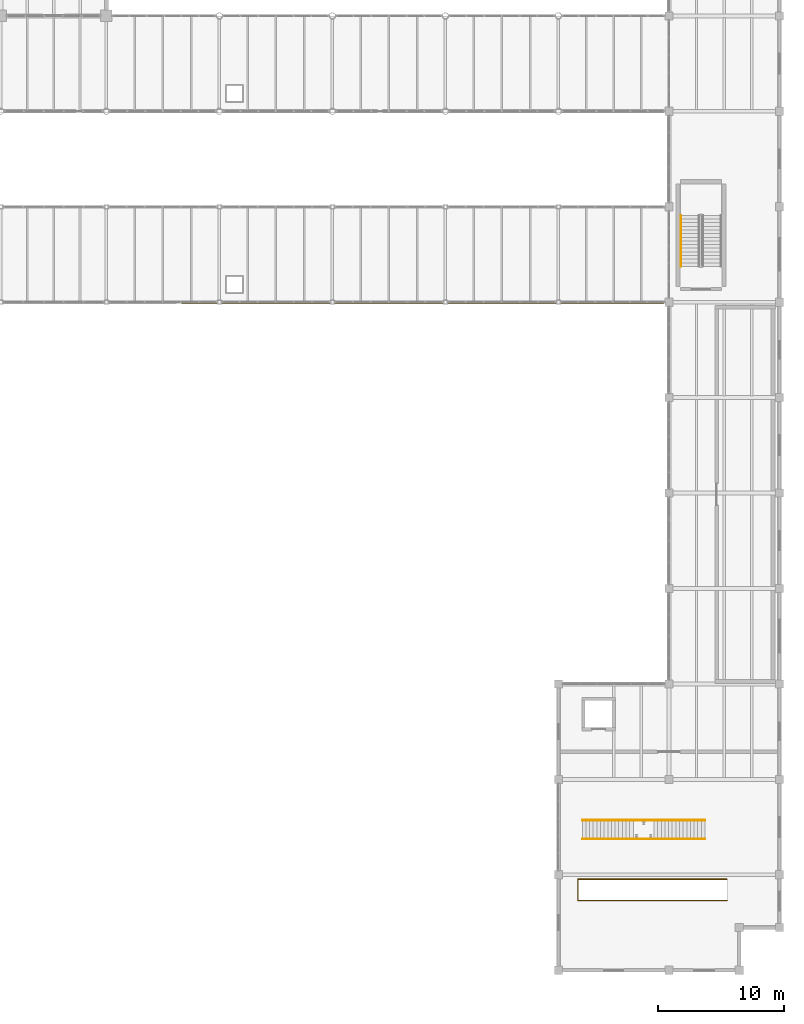
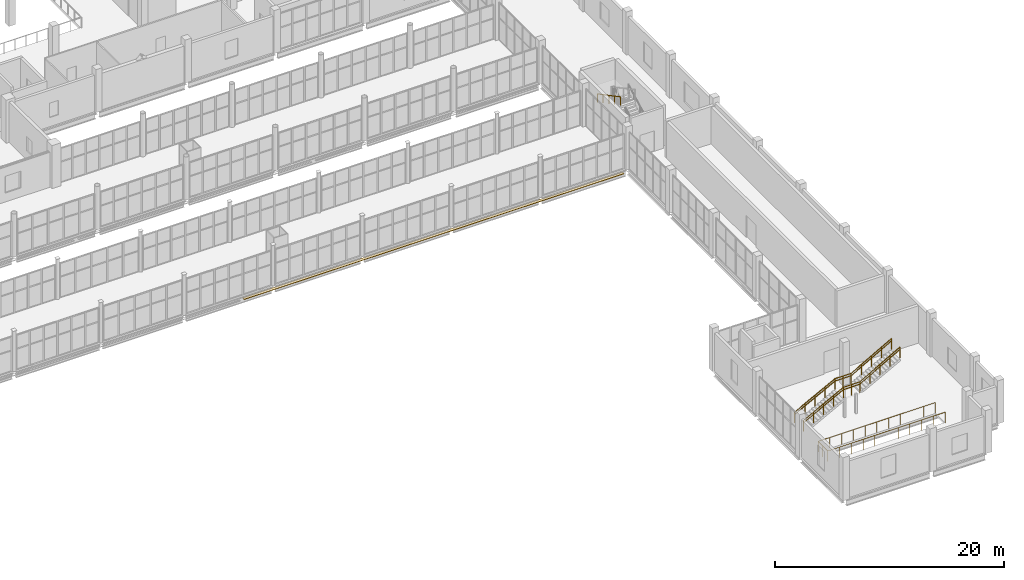
# One storey, part 170 of 172: 6 railings, 1 covering.
"""IFC4 building model written with IfcOpenShell, lengths in metres."""

from ifc_helpers import new_model, si_unit, direction, frame, origin, origin_2d, place, context, subcontext, project, spatial, rectangle, circle, extrude, material, layer, layer_set, type_object, element, save


model = new_model("IFC4")

# Units and contexts
model_context = context("Model", 3, precision=1e-05, world=origin(), true_north=direction((0.0, 1.0)))
body_context = subcontext(model_context, "Body", "Model", "MODEL_VIEW")
ifc_project = project(units=[si_unit("LENGTHUNIT", "METRE"), si_unit("AREAUNIT", "SQUARE_METRE"), si_unit("VOLUMEUNIT", "CUBIC_METRE"), si_unit("PLANEANGLEUNIT", "RADIAN"), si_unit("MASSUNIT", "GRAM", prefix="KILO")], contexts=[model_context])

# Site, building, storey
site_placement = place(None, origin())
site = spatial("IfcSite", under=ifc_project, at=site_placement, CompositionType="ELEMENT")
building_placement = place(site_placement, origin())
building = spatial("IfcBuilding", under=site, at=building_placement, Name="Shengluoqiao Park Theatre", CompositionType="ELEMENT")
storey_placement = place(building_placement, frame((0.0, 0.0, 5.39990234375)))
storey = spatial("IfcBuildingStorey", under=building, at=storey_placement, Name="L01", CompositionType="ELEMENT", Elevation=5.39990234375)

# Covering
ifc_material_1 = material(Name="Anodised aluminium", Category="aluminium")
ifc_layer = layer(ifc_material_1, 0.044921875, Name="Anodised aluminium")
ifc_layer_set = layer_set([ifc_layer], Name="Anodised aluminium")
covering_type = type_object("IfcCoveringType", Name="ENV-COV-CLAD1", PredefinedType="CLADDING", material=ifc_layer_set)
covering_placement = place(storey_placement, frame((137.60009765625, 53.199951171875, -0.472412109375), z_axis=(0.0, 0.0, 1.0), x_axis=(1.0, 0.0, 0.0)))
element("IfcCovering", 1, at=covering_placement, inside=storey, type_object=covering_type, Name="Park-Court Bridge Soffit Cladding 06", PredefinedType="CLADDING", context=body_context, shape_type="SweptSolid", body=[
    extrude(rectangle(XDim=38.39990234375, YDim=0.300048828125, at=origin_2d()), origin(), (0.0, 0.0, 1.0), 0.044921875),
])

# Railings
ifc_material_2 = material(Name="Tempered laminated glass", Category="glass")
railing_type_1 = type_object("IfcRailingType", Name="INT-RL-BAL115", PredefinedType="BALUSTRADE", material=ifc_material_2)
railing_1_placement = place(storey_placement, frame((161.81005859375, 5.550048828125, 0.0)))
element("IfcRailing", 2, at=railing_1_placement, inside=storey, type_object=railing_type_1, Name="East Artist Wing Stair 09 Upper Well Guard", PredefinedType="BALUSTRADE", context=body_context, shape_type="SweptSolid", body=[
    extrude(circle(Radius=0.02392578125, at=origin_2d()), frame((0.0, 0.0, 1.1259765625), z_axis=(-1.0, 0.0, 0.0), x_axis=(0.0, -1.0, 0.0)), (0.0, 0.0, 1.0), 11.860107421875),
    extrude(circle(Radius=0.02392578125, at=origin_2d()), frame((-11.860107421875, 0.0, 1.1259765625), z_axis=(0.0, 1.0, 0.0), x_axis=(-1.0, 0.0, 0.0)), (0.0, 0.0, 1.0), 1.699951171875),
    extrude(circle(Radius=0.02392578125, at=origin_2d()), frame((-11.860107421875, 1.699951171875, 1.1259765625), z_axis=(1.0, 0.0, 0.0), x_axis=(0.0, 1.0, 0.0)), (0.0, 0.0, 1.0), 11.860107421875),
    extrude(circle(Radius=0.02099609375, at=origin_2d()), origin(), (0.0, 0.0, 1.0), 1.101806640625),
    extrude(circle(Radius=0.02099609375, at=origin_2d()), frame((-1.18603515625, 0.0, 0.0)), (0.0, 0.0, 1.0), 1.101806640625),
    extrude(circle(Radius=0.02099609375, at=origin_2d()), frame((-2.3720703125, 0.0, 0.0)), (0.0, 0.0, 1.0), 1.101806640625),
    extrude(circle(Radius=0.02099609375, at=origin_2d()), frame((-3.55810546875, 0.0, 0.0)), (0.0, 0.0, 1.0), 1.101806640625),
    extrude(circle(Radius=0.02099609375, at=origin_2d()), frame((-4.744140625, 0.0, 0.0)), (0.0, 0.0, 1.0), 1.101806640625),
    extrude(circle(Radius=0.02099609375, at=origin_2d()), frame((-5.93017578125, 0.0, 0.0)), (0.0, 0.0, 1.0), 1.101806640625),
    extrude(circle(Radius=0.02099609375, at=origin_2d()), frame((-7.115966796875, 0.0, 0.0)), (0.0, 0.0, 1.0), 1.101806640625),
    extrude(circle(Radius=0.02099609375, at=origin_2d()), frame((-8.302001953125, 0.0, 0.0)), (0.0, 0.0, 1.0), 1.101806640625),
    extrude(circle(Radius=0.02099609375, at=origin_2d()), frame((-9.488037109375, 0.0, 0.0)), (0.0, 0.0, 1.0), 1.101806640625),
    extrude(circle(Radius=0.02099609375, at=origin_2d()), frame((-10.674072265625, 0.0, 0.0)), (0.0, 0.0, 1.0), 1.101806640625),
    extrude(circle(Radius=0.02099609375, at=origin_2d()), frame((-11.860107421875, 0.0, 0.0)), (0.0, 0.0, 1.0), 1.101806640625),
    extrude(circle(Radius=0.02099609375, at=origin_2d()), frame((-11.860107421875, 0.85009765625, 0.0)), (0.0, 0.0, 1.0), 1.101806640625),
    extrude(circle(Radius=0.02099609375, at=origin_2d()), frame((-11.860107421875, 1.699951171875, 0.0)), (0.0, 0.0, 1.0), 1.101806640625),
    extrude(circle(Radius=0.02099609375, at=origin_2d()), frame((-10.674072265625, 1.699951171875, 0.0)), (0.0, 0.0, 1.0), 1.101806640625),
    extrude(circle(Radius=0.02099609375, at=origin_2d()), frame((-9.488037109375, 1.699951171875, 0.0)), (0.0, 0.0, 1.0), 1.101806640625),
    extrude(circle(Radius=0.02099609375, at=origin_2d()), frame((-8.302001953125, 1.699951171875, 0.0)), (0.0, 0.0, 1.0), 1.101806640625),
    extrude(circle(Radius=0.02099609375, at=origin_2d()), frame((-7.115966796875, 1.699951171875, 0.0)), (0.0, 0.0, 1.0), 1.101806640625),
    extrude(circle(Radius=0.02099609375, at=origin_2d()), frame((-5.93017578125, 1.699951171875, 0.0)), (0.0, 0.0, 1.0), 1.101806640625),
    extrude(circle(Radius=0.02099609375, at=origin_2d()), frame((-4.744140625, 1.699951171875, 0.0)), (0.0, 0.0, 1.0), 1.101806640625),
    extrude(circle(Radius=0.02099609375, at=origin_2d()), frame((-3.55810546875, 1.699951171875, 0.0)), (0.0, 0.0, 1.0), 1.101806640625),
    extrude(circle(Radius=0.02099609375, at=origin_2d()), frame((-2.3720703125, 1.699951171875, 0.0)), (0.0, 0.0, 1.0), 1.101806640625),
    extrude(circle(Radius=0.02099609375, at=origin_2d()), frame((-1.18603515625, 1.699951171875, 0.0)), (0.0, 0.0, 1.0), 1.101806640625),
    extrude(circle(Radius=0.02099609375, at=origin_2d()), frame((0.0, 1.699951171875, 0.0)), (0.0, 0.0, 1.0), 1.101806640625),
])
railing_2_placement = place(storey_placement, frame((150.300048828125, 10.449951171875, 0.1533203125)))
element("IfcRailing", 3, at=railing_2_placement, inside=storey, type_object=railing_type_1, Name="East Artist Wing Stair 09 Upper Glass Balustrade S", PredefinedType="BALUSTRADE", context=body_context, shape_type="SweptSolid", body=[
    extrude(circle(Radius=0.02392578125, at=origin_2d()), frame((0.0, 0.0, 1.1259765625), z_axis=(0.884032182968, 0.0, 0.46742603637), x_axis=(0.0, 1.0, 0.0)), (0.0, 0.0, 1.0), 4.5927734375),
    extrude(circle(Radius=0.02392578125, at=origin_2d()), frame((4.06005859375, 0.0, 3.2724609375), z_axis=(1.0, 0.0, 0.0), x_axis=(0.0, 1.0, 0.0)), (0.0, 0.0, 1.0), 1.64990234375),
    extrude(circle(Radius=0.02392578125, at=origin_2d()), frame((5.7099609375, 0.0, 3.2724609375), z_axis=(0.870082024043, 0.0, 0.492906960223), x_axis=(0.0, 1.0, 0.0)), (0.0, 0.0, 1.0), 4.666259765625),
    extrude(circle(Radius=0.02099609375, at=origin_2d()), origin(), (0.0, 0.0, 1.0), 1.101806640625),
    extrude(circle(Radius=0.02099609375, at=origin_2d()), frame((1.01513671875, 0.0, 0.53662109375)), (0.0, 0.0, 1.0), 1.101806640625),
    extrude(circle(Radius=0.02099609375, at=origin_2d()), frame((2.030029296875, 0.0, 1.0732421875)), (0.0, 0.0, 1.0), 1.101806640625),
    extrude(circle(Radius=0.02099609375, at=origin_2d()), frame((3.044921875, 0.0, 1.610107421875)), (0.0, 0.0, 1.0), 1.101806640625),
    extrude(circle(Radius=0.02099609375, at=origin_2d()), frame((4.06005859375, 0.0, 2.146728515625)), (0.0, 0.0, 1.0), 1.101806640625),
    extrude(circle(Radius=0.02099609375, at=origin_2d()), frame((4.885009765625, 0.0, 2.146728515625)), (0.0, 0.0, 1.0), 1.101806640625),
    extrude(circle(Radius=0.02099609375, at=origin_2d()), frame((5.7099609375, 0.0, 2.146728515625)), (0.0, 0.0, 1.0), 1.101806640625),
    extrude(circle(Radius=0.02099609375, at=origin_2d()), frame((6.72509765625, 0.0, 2.7216796875)), (0.0, 0.0, 1.0), 1.101806640625),
    extrude(circle(Radius=0.02099609375, at=origin_2d()), frame((7.739990234375, 0.0, 3.296875)), (0.0, 0.0, 1.0), 1.101806640625),
    extrude(circle(Radius=0.02099609375, at=origin_2d()), frame((8.7548828125, 0.0, 3.871826171875)), (0.0, 0.0, 1.0), 1.101806640625),
    extrude(circle(Radius=0.02099609375, at=origin_2d()), frame((9.77001953125, 0.0, 4.44677734375)), (0.0, 0.0, 1.0), 1.101806640625),
])
railing_3_placement = place(storey_placement, frame((150.300048828125, 11.949951171875, 0.1533203125)))
element("IfcRailing", 4, at=railing_3_placement, inside=storey, type_object=railing_type_1, Name="East Artist Wing Stair 09 Upper Glass Balustrade N", PredefinedType="BALUSTRADE", context=body_context, shape_type="SweptSolid", body=[
    extrude(circle(Radius=0.02392578125, at=origin_2d()), frame((0.0, 0.0, 1.1259765625), z_axis=(0.884032182968, 0.0, 0.46742603637), x_axis=(0.0, 1.0, 0.0)), (0.0, 0.0, 1.0), 4.5927734375),
    extrude(circle(Radius=0.02392578125, at=origin_2d()), frame((4.06005859375, 0.0, 3.2724609375), z_axis=(1.0, 0.0, 0.0), x_axis=(0.0, 1.0, 0.0)), (0.0, 0.0, 1.0), 1.64990234375),
    extrude(circle(Radius=0.02392578125, at=origin_2d()), frame((5.7099609375, 0.0, 3.2724609375), z_axis=(0.870082024043, 0.0, 0.492906960223), x_axis=(0.0, 1.0, 0.0)), (0.0, 0.0, 1.0), 4.666259765625),
    extrude(circle(Radius=0.02099609375, at=origin_2d()), origin(), (0.0, 0.0, 1.0), 1.101806640625),
    extrude(circle(Radius=0.02099609375, at=origin_2d()), frame((1.01513671875, 0.0, 0.53662109375)), (0.0, 0.0, 1.0), 1.101806640625),
    extrude(circle(Radius=0.02099609375, at=origin_2d()), frame((2.030029296875, 0.0, 1.0732421875)), (0.0, 0.0, 1.0), 1.101806640625),
    extrude(circle(Radius=0.02099609375, at=origin_2d()), frame((3.044921875, 0.0, 1.610107421875)), (0.0, 0.0, 1.0), 1.101806640625),
    extrude(circle(Radius=0.02099609375, at=origin_2d()), frame((4.06005859375, 0.0, 2.146728515625)), (0.0, 0.0, 1.0), 1.101806640625),
    extrude(circle(Radius=0.02099609375, at=origin_2d()), frame((4.885009765625, 0.0, 2.146728515625)), (0.0, 0.0, 1.0), 1.101806640625),
    extrude(circle(Radius=0.02099609375, at=origin_2d()), frame((5.7099609375, 0.0, 2.146728515625)), (0.0, 0.0, 1.0), 1.101806640625),
    extrude(circle(Radius=0.02099609375, at=origin_2d()), frame((6.72509765625, 0.0, 2.7216796875)), (0.0, 0.0, 1.0), 1.101806640625),
    extrude(circle(Radius=0.02099609375, at=origin_2d()), frame((7.739990234375, 0.0, 3.296875)), (0.0, 0.0, 1.0), 1.101806640625),
    extrude(circle(Radius=0.02099609375, at=origin_2d()), frame((8.7548828125, 0.0, 3.871826171875)), (0.0, 0.0, 1.0), 1.101806640625),
    extrude(circle(Radius=0.02099609375, at=origin_2d()), frame((9.77001953125, 0.0, 4.44677734375)), (0.0, 0.0, 1.0), 1.101806640625),
])
ifc_material_3 = material(Name="Stainless steel 304", Category="steel")
railing_type_2 = type_object("IfcRailingType", Name="INT-RL-STHR", PredefinedType="HANDRAIL", material=ifc_material_3)
railing_4_placement = place(storey_placement, frame((158.14990234375, 60.110107421875, 2.453369140625)))
element("IfcRailing", 5, at=railing_4_placement, inside=storey, type_object=railing_type_2, Name="L01 ST-12 stair handrail 2", PredefinedType="HANDRAIL", context=body_context, shape_type="SweptSolid", body=[
    extrude(circle(Radius=0.02392578125, at=origin_2d()), frame((0.0, 0.0, 0.8759765625), z_axis=(0.0, -0.884032182968, 0.46742603637), x_axis=(1.0, 0.0, 0.0)), (0.0, 0.0, 1.0), 4.5927734375),
    extrude(circle(Radius=0.02099609375, at=origin_2d()), origin(), (0.0, 0.0, 1.0), 0.851806640625),
    extrude(circle(Radius=0.02099609375, at=origin_2d()), frame((0.0, -1.01513671875, 0.53662109375)), (0.0, 0.0, 1.0), 0.851806640625),
    extrude(circle(Radius=0.02099609375, at=origin_2d()), frame((0.0, -2.030029296875, 1.0732421875)), (0.0, 0.0, 1.0), 0.851806640625),
    extrude(circle(Radius=0.02099609375, at=origin_2d()), frame((0.0, -3.044921875, 1.610107421875)), (0.0, 0.0, 1.0), 0.851806640625),
    extrude(circle(Radius=0.02099609375, at=origin_2d()), frame((0.0, -4.06005859375, 2.146728515625)), (0.0, 0.0, 1.0), 0.851806640625),
])
railing_5_placement = place(storey_placement, frame((150.300048828125, 10.449951171875, 0.1533203125)))
element("IfcRailing", 6, at=railing_5_placement, inside=storey, type_object=railing_type_2, Name="East Artist Wing Stair 09 Upper Handrail S", PredefinedType="HANDRAIL", context=body_context, shape_type="SweptSolid", body=[
    extrude(circle(Radius=0.02392578125, at=origin_2d()), frame((0.0, 0.0, 0.8759765625), z_axis=(0.884032182968, 0.0, 0.46742603637), x_axis=(0.0, 1.0, 0.0)), (0.0, 0.0, 1.0), 4.5927734375),
    extrude(circle(Radius=0.02392578125, at=origin_2d()), frame((4.06005859375, 0.0, 3.0224609375), z_axis=(1.0, 0.0, 0.0), x_axis=(0.0, 1.0, 0.0)), (0.0, 0.0, 1.0), 1.64990234375),
    extrude(circle(Radius=0.02392578125, at=origin_2d()), frame((5.7099609375, 0.0, 3.0224609375), z_axis=(0.870082024043, 0.0, 0.492906960223), x_axis=(0.0, 1.0, 0.0)), (0.0, 0.0, 1.0), 4.666259765625),
    extrude(circle(Radius=0.02099609375, at=origin_2d()), origin(), (0.0, 0.0, 1.0), 0.851806640625),
    extrude(circle(Radius=0.02099609375, at=origin_2d()), frame((1.01513671875, 0.0, 0.53662109375)), (0.0, 0.0, 1.0), 0.851806640625),
    extrude(circle(Radius=0.02099609375, at=origin_2d()), frame((2.030029296875, 0.0, 1.0732421875)), (0.0, 0.0, 1.0), 0.851806640625),
    extrude(circle(Radius=0.02099609375, at=origin_2d()), frame((3.044921875, 0.0, 1.610107421875)), (0.0, 0.0, 1.0), 0.851806640625),
    extrude(circle(Radius=0.02099609375, at=origin_2d()), frame((4.06005859375, 0.0, 2.146728515625)), (0.0, 0.0, 1.0), 0.851806640625),
    extrude(circle(Radius=0.02099609375, at=origin_2d()), frame((4.885009765625, 0.0, 2.146728515625)), (0.0, 0.0, 1.0), 0.851806640625),
    extrude(circle(Radius=0.02099609375, at=origin_2d()), frame((5.7099609375, 0.0, 2.146728515625)), (0.0, 0.0, 1.0), 0.851806640625),
    extrude(circle(Radius=0.02099609375, at=origin_2d()), frame((6.72509765625, 0.0, 2.7216796875)), (0.0, 0.0, 1.0), 0.851806640625),
    extrude(circle(Radius=0.02099609375, at=origin_2d()), frame((7.739990234375, 0.0, 3.296875)), (0.0, 0.0, 1.0), 0.851806640625),
    extrude(circle(Radius=0.02099609375, at=origin_2d()), frame((8.7548828125, 0.0, 3.871826171875)), (0.0, 0.0, 1.0), 0.851806640625),
    extrude(circle(Radius=0.02099609375, at=origin_2d()), frame((9.77001953125, 0.0, 4.44677734375)), (0.0, 0.0, 1.0), 0.851806640625),
])
railing_6_placement = place(storey_placement, frame((150.300048828125, 11.949951171875, 0.1533203125)))
element("IfcRailing", 7, at=railing_6_placement, inside=storey, type_object=railing_type_2, Name="East Artist Wing Stair 09 Upper Handrail N", PredefinedType="HANDRAIL", context=body_context, shape_type="SweptSolid", body=[
    extrude(circle(Radius=0.02392578125, at=origin_2d()), frame((0.0, 0.0, 0.8759765625), z_axis=(0.884032182968, 0.0, 0.46742603637), x_axis=(0.0, 1.0, 0.0)), (0.0, 0.0, 1.0), 4.5927734375),
    extrude(circle(Radius=0.02392578125, at=origin_2d()), frame((4.06005859375, 0.0, 3.0224609375), z_axis=(1.0, 0.0, 0.0), x_axis=(0.0, 1.0, 0.0)), (0.0, 0.0, 1.0), 1.64990234375),
    extrude(circle(Radius=0.02392578125, at=origin_2d()), frame((5.7099609375, 0.0, 3.0224609375), z_axis=(0.870082024043, 0.0, 0.492906960223), x_axis=(0.0, 1.0, 0.0)), (0.0, 0.0, 1.0), 4.666259765625),
    extrude(circle(Radius=0.02099609375, at=origin_2d()), origin(), (0.0, 0.0, 1.0), 0.851806640625),
    extrude(circle(Radius=0.02099609375, at=origin_2d()), frame((1.01513671875, 0.0, 0.53662109375)), (0.0, 0.0, 1.0), 0.851806640625),
    extrude(circle(Radius=0.02099609375, at=origin_2d()), frame((2.030029296875, 0.0, 1.0732421875)), (0.0, 0.0, 1.0), 0.851806640625),
    extrude(circle(Radius=0.02099609375, at=origin_2d()), frame((3.044921875, 0.0, 1.610107421875)), (0.0, 0.0, 1.0), 0.851806640625),
    extrude(circle(Radius=0.02099609375, at=origin_2d()), frame((4.06005859375, 0.0, 2.146728515625)), (0.0, 0.0, 1.0), 0.851806640625),
    extrude(circle(Radius=0.02099609375, at=origin_2d()), frame((4.885009765625, 0.0, 2.146728515625)), (0.0, 0.0, 1.0), 0.851806640625),
    extrude(circle(Radius=0.02099609375, at=origin_2d()), frame((5.7099609375, 0.0, 2.146728515625)), (0.0, 0.0, 1.0), 0.851806640625),
    extrude(circle(Radius=0.02099609375, at=origin_2d()), frame((6.72509765625, 0.0, 2.7216796875)), (0.0, 0.0, 1.0), 0.851806640625),
    extrude(circle(Radius=0.02099609375, at=origin_2d()), frame((7.739990234375, 0.0, 3.296875)), (0.0, 0.0, 1.0), 0.851806640625),
    extrude(circle(Radius=0.02099609375, at=origin_2d()), frame((8.7548828125, 0.0, 3.871826171875)), (0.0, 0.0, 1.0), 0.851806640625),
    extrude(circle(Radius=0.02099609375, at=origin_2d()), frame((9.77001953125, 0.0, 4.44677734375)), (0.0, 0.0, 1.0), 0.851806640625),
])

save(model, "model.ifc")
